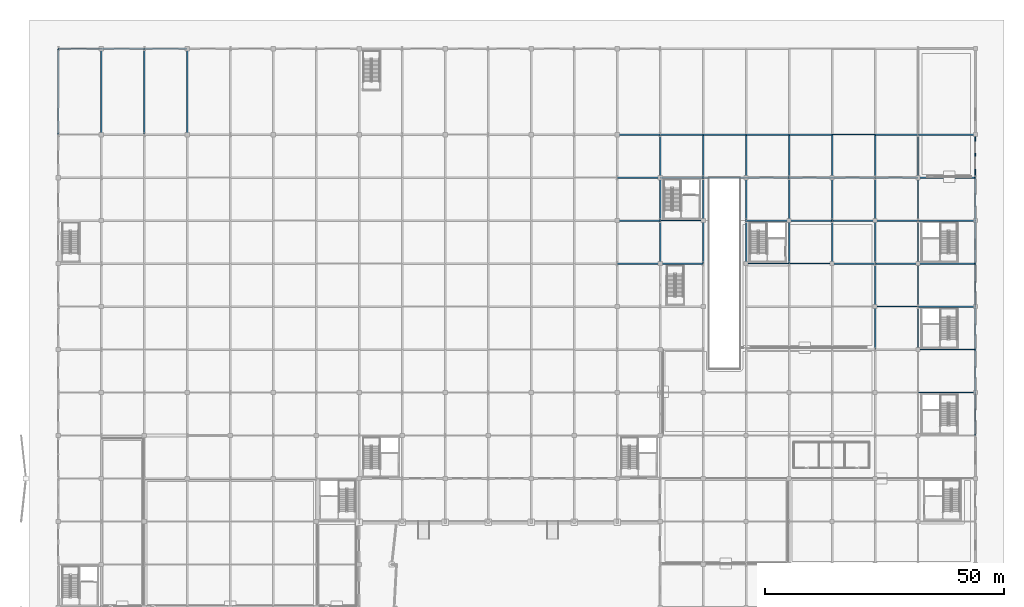
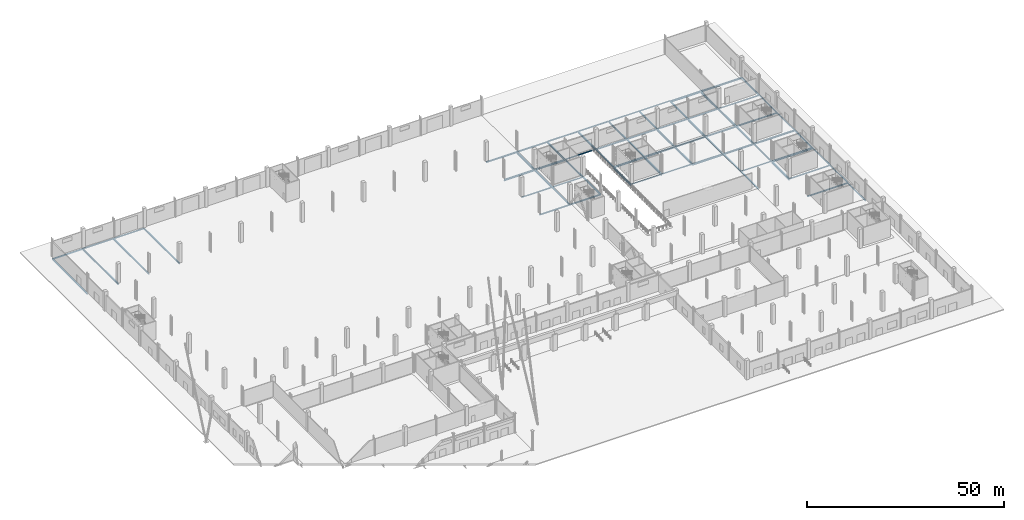
# One storey, part 23 of 58: 73 beams.
"""IFC4 building model written with IfcOpenShell, lengths in metres."""

from ifc_helpers import new_model, si_unit, direction, frame, origin, origin_2d, place, context, subcontext, project, spatial, hollow_rectangle, i_section, extrude, material, material_profile, profile_set, type_object, element, save


model = new_model("IFC4")

# Units and contexts
model_context = context("Model", 3, precision=1e-05, world=origin(), true_north=direction((0.0, 1.0)))
body_context = subcontext(model_context, "Body", "Model", "MODEL_VIEW")
ifc_project = project(units=[si_unit("LENGTHUNIT", "METRE"), si_unit("AREAUNIT", "SQUARE_METRE"), si_unit("VOLUMEUNIT", "CUBIC_METRE"), si_unit("PLANEANGLEUNIT", "RADIAN"), si_unit("MASSUNIT", "GRAM", prefix="KILO")], contexts=[model_context])

# Site, building, storey
site_placement = place(None, origin())
site = spatial("IfcSite", under=ifc_project, at=site_placement, CompositionType="ELEMENT")
building_placement = place(site_placement, origin())
building = spatial("IfcBuilding", under=site, at=building_placement, Name="Barlavento Convention Centre", CompositionType="ELEMENT")
storey_placement = place(building_placement, origin())
storey = spatial("IfcBuildingStorey", under=building, at=storey_placement, Name="L00", CompositionType="ELEMENT", Elevation=0.0)

# Beams
ifc_material = material(Name="Steel S355", Category="steel")
ifc_material_profile_1 = material_profile(ifc_material, i_section(OverallWidth=0.300048828125, OverallDepth=0.330078125, WebThickness=0.009521484375, FlangeThickness=0.0166015625, FilletRadius=0.027099609375, at=origin_2d()), Name="HEA 340")
ifc_profile_set_1 = profile_set([ifc_material_profile_1], Name="Steel S355")
beam_type_1 = type_object("IfcBeamType", Name="STR-BM-PRI-HEA340", PredefinedType="BEAM", material=ifc_profile_set_1)
for number, where, z_axis, x_axis, name in (
    (1, (171.0, 72.02001953125, -0.52490234375), (0.0, 1.0, 0.0), (-1.0, 0.0, 0.0), "L00 grid girder BG24"),
    (2, (135.0, 90.02001953125, -0.5849609375), (0.0, 1.0, 0.0), (-1.0, 0.0, 0.0), "L00 grid girder BG24"),
    (3, (153.0, 99.02001953125, -0.5849609375), (0.0, 1.0, 0.0), (-1.0, 0.0, 0.0), "L00 grid girder BG24"),
    (4, (171.0, 108.02001953125, -0.5849609375), (0.0, 1.0, 0.0), (-1.0, 0.0, 0.0), "L00 grid girder BG24"),
):
    element("IfcBeam", number, at=place(storey_placement, frame(where, z_axis=z_axis, x_axis=x_axis)), inside=storey, type_object=beam_type_1, Name=name, PredefinedType="BEAM", context=body_context, shape_type="SweptSolid", body=[
        extrude(i_section(OverallWidth=0.300048828125, OverallDepth=0.330078125, WebThickness=0.009521484375, FlangeThickness=0.0166015625, FilletRadius=0.027099609375, at=origin_2d()), origin(), (0.0, 0.0, 1.0), 8.9599609375),
    ])
ifc_material_profile_2 = material_profile(ifc_material, i_section(OverallWidth=0.300048828125, OverallDepth=0.35009765625, WebThickness=0.010009765625, FlangeThickness=0.017578125, FilletRadius=0.027099609375, at=origin_2d()), Name="HEA 360")
ifc_profile_set_2 = profile_set([ifc_material_profile_2], Name="Steel S355")
beam_type_2 = type_object("IfcBeamType", Name="STR-BM-PRI-HEA360", PredefinedType="BEAM", material=ifc_profile_set_2)
for number, where, z_axis, x_axis, name in (
    (5, (180.0, 81.02001953125, -0.534912109375), (0.0, 1.0, 0.0), (-1.0, 0.0, 0.0), "L00 grid girder BG23"),
    (6, (126.0, 90.02001953125, -0.594970703125), (0.0, 1.0, 0.0), (-1.0, 0.0, 0.0), "L00 grid girder BG23"),
    (7, (144.0, 99.02001953125, -0.594970703125), (0.0, 1.0, 0.0), (-1.0, 0.0, 0.0), "L00 grid girder BG23"),
    (8, (162.0, 108.02001953125, -0.594970703125), (0.0, 1.0, 0.0), (-1.0, 0.0, 0.0), "L00 grid girder BG23"),
):
    element("IfcBeam", number, at=place(storey_placement, frame(where, z_axis=z_axis, x_axis=x_axis)), inside=storey, type_object=beam_type_2, Name=name, PredefinedType="BEAM", context=body_context, shape_type="SweptSolid", body=[
        extrude(i_section(OverallWidth=0.300048828125, OverallDepth=0.35009765625, WebThickness=0.010009765625, FlangeThickness=0.017578125, FilletRadius=0.027099609375, at=origin_2d()), origin(), (0.0, 0.0, 1.0), 8.9599609375),
    ])
ifc_material_profile_3 = material_profile(ifc_material, i_section(OverallWidth=0.300048828125, OverallDepth=0.389892578125, WebThickness=0.010986328125, FlangeThickness=0.01904296875, FilletRadius=0.027099609375, at=origin_2d()), Name="HEA 400")
ifc_profile_set_3 = profile_set([ifc_material_profile_3], Name="Steel S355")
beam_type_3 = type_object("IfcBeamType", Name="STR-BM-PRI-HEA400", PredefinedType="BEAM", material=ifc_profile_set_3)
for number, where, z_axis, x_axis, name in (
    (9, (171.0, 81.02001953125, -0.554931640625), (0.0, 1.0, 0.0), (-1.0, 0.0, 0.0), "L00 grid girder BG22"),
    (10, (135.0, 99.02001953125, -0.614990234375), (0.0, 1.0, 0.0), (-1.0, 0.0, 0.0), "L00 grid girder BG22"),
    (11, (153.0, 108.02001953125, -0.614990234375), (0.0, 1.0, 0.0), (-1.0, 0.0, 0.0), "L00 grid girder BG22"),
):
    element("IfcBeam", number, at=place(storey_placement, frame(where, z_axis=z_axis, x_axis=x_axis)), inside=storey, type_object=beam_type_3, Name=name, PredefinedType="BEAM", context=body_context, shape_type="SweptSolid", body=[
        extrude(i_section(OverallWidth=0.300048828125, OverallDepth=0.389892578125, WebThickness=0.010986328125, FlangeThickness=0.01904296875, FilletRadius=0.027099609375, at=origin_2d()), origin(), (0.0, 0.0, 1.0), 8.9599609375),
    ])
beam_1_placement = place(storey_placement, frame((27.0, 117.02001953125, -0.574951171875), z_axis=(0.0, 1.0, 0.0), x_axis=(-1.0, 0.0, 0.0)))
element("IfcBeam", 12, at=beam_1_placement, inside=storey, type_object=beam_type_3, Name="L00 grid girder BG22", PredefinedType="BEAM", context=body_context, shape_type="SweptSolid", body=[
    extrude(i_section(OverallWidth=0.300048828125, OverallDepth=0.389892578125, WebThickness=0.010986328125, FlangeThickness=0.01904296875, FilletRadius=0.027099609375, at=origin_2d()), origin(), (0.0, 0.0, 1.0), 17.9599609375),
])
ifc_material_profile_4 = material_profile(ifc_material, i_section(OverallWidth=0.300048828125, OverallDepth=0.43994140625, WebThickness=0.011474609375, FlangeThickness=0.02099609375, FilletRadius=0.027099609375, at=origin_2d()), Name="HEA 450")
ifc_profile_set_4 = profile_set([ifc_material_profile_4], Name="Steel S355")
beam_type_4 = type_object("IfcBeamType", Name="STR-BM-PRI-HEA450", PredefinedType="BEAM", material=ifc_profile_set_4)
for number, where, z_axis, x_axis, name in (
    (13, (180.0, 90.02001953125, -0.639892578125), (0.0, 1.0, 0.0), (-1.0, 0.0, 0.0), "L00 grid girder BG21"),
    (14, (126.0, 99.02001953125, -0.639892578125), (0.0, 1.0, 0.0), (-1.0, 0.0, 0.0), "L00 grid girder BG21"),
    (15, (144.0, 108.02001953125, -0.639892578125), (0.0, 1.0, 0.0), (-1.0, 0.0, 0.0), "L00 grid girder BG21"),
):
    element("IfcBeam", number, at=place(storey_placement, frame(where, z_axis=z_axis, x_axis=x_axis)), inside=storey, type_object=beam_type_4, Name=name, PredefinedType="BEAM", context=body_context, shape_type="SweptSolid", body=[
        extrude(i_section(OverallWidth=0.300048828125, OverallDepth=0.43994140625, WebThickness=0.011474609375, FlangeThickness=0.02099609375, FilletRadius=0.027099609375, at=origin_2d()), origin(), (0.0, 0.0, 1.0), 8.9599609375),
    ])
beam_2_placement = place(storey_placement, frame((18.0, 117.02001953125, -0.60009765625), z_axis=(0.0, 1.0, 0.0), x_axis=(-1.0, 0.0, 0.0)))
element("IfcBeam", 16, at=beam_2_placement, inside=storey, type_object=beam_type_4, Name="L00 grid girder BG21", PredefinedType="BEAM", context=body_context, shape_type="SweptSolid", body=[
    extrude(i_section(OverallWidth=0.300048828125, OverallDepth=0.43994140625, WebThickness=0.011474609375, FlangeThickness=0.02099609375, FilletRadius=0.027099609375, at=origin_2d()), origin(), (0.0, 0.0, 1.0), 17.9599609375),
])
ifc_material_profile_5 = material_profile(ifc_material, i_section(OverallWidth=0.300048828125, OverallDepth=0.489990234375, WebThickness=0.011962890625, FlangeThickness=0.02294921875, FilletRadius=0.027099609375, at=origin_2d()), Name="HEA 500")
ifc_profile_set_5 = profile_set([ifc_material_profile_5], Name="Steel S355")
beam_type_5 = type_object("IfcBeamType", Name="STR-BM-PRI-HEA500", PredefinedType="BEAM", material=ifc_profile_set_5)
for number, where, z_axis, x_axis, name in (
    (17, (171.0, 90.02001953125, -0.6650390625), (0.0, 1.0, 0.0), (-1.0, 0.0, 0.0), "L00 grid girder BG20"),
    (18, (135.0, 108.02001953125, -0.6650390625), (0.0, 1.0, 0.0), (-1.0, 0.0, 0.0), "L00 grid girder BG20"),
):
    element("IfcBeam", number, at=place(storey_placement, frame(where, z_axis=z_axis, x_axis=x_axis)), inside=storey, type_object=beam_type_5, Name=name, PredefinedType="BEAM", context=body_context, shape_type="SweptSolid", body=[
        extrude(i_section(OverallWidth=0.300048828125, OverallDepth=0.489990234375, WebThickness=0.011962890625, FlangeThickness=0.02294921875, FilletRadius=0.027099609375, at=origin_2d()), origin(), (0.0, 0.0, 1.0), 8.9599609375),
    ])
beam_3_placement = place(storey_placement, frame((9.0, 117.02001953125, -0.625), z_axis=(0.0, 1.0, 0.0), x_axis=(-1.0, 0.0, 0.0)))
element("IfcBeam", 19, at=beam_3_placement, inside=storey, type_object=beam_type_5, Name="L00 grid girder BG20", PredefinedType="BEAM", context=body_context, shape_type="SweptSolid", body=[
    extrude(i_section(OverallWidth=0.300048828125, OverallDepth=0.489990234375, WebThickness=0.011962890625, FlangeThickness=0.02294921875, FilletRadius=0.027099609375, at=origin_2d()), origin(), (0.0, 0.0, 1.0), 17.9599609375),
])
ifc_material_profile_6 = material_profile(ifc_material, i_section(OverallWidth=0.300048828125, OverallDepth=0.5400390625, WebThickness=0.012451171875, FlangeThickness=0.02392578125, FilletRadius=0.027099609375, at=origin_2d()), Name="HEA 550")
ifc_profile_set_6 = profile_set([ifc_material_profile_6], Name="Steel S355")
beam_type_6 = type_object("IfcBeamType", Name="STR-BM-PRI-HEA550", PredefinedType="BEAM", material=ifc_profile_set_6)
for number, where, z_axis, x_axis, name in (
    (20, (162.0, 90.02001953125, -0.68994140625), (0.0, 1.0, 0.0), (-1.0, 0.0, 0.0), "L00 grid girder BG19"),
    (21, (180.0, 99.02001953125, -0.68994140625), (0.0, 1.0, 0.0), (-1.0, 0.0, 0.0), "L00 grid girder BG19"),
    (22, (126.0, 108.02001953125, -0.68994140625), (0.0, 1.0, 0.0), (-1.0, 0.0, 0.0), "L00 grid girder BG19"),
):
    element("IfcBeam", number, at=place(storey_placement, frame(where, z_axis=z_axis, x_axis=x_axis)), inside=storey, type_object=beam_type_6, Name=name, PredefinedType="BEAM", context=body_context, shape_type="SweptSolid", body=[
        extrude(i_section(OverallWidth=0.300048828125, OverallDepth=0.5400390625, WebThickness=0.012451171875, FlangeThickness=0.02392578125, FilletRadius=0.027099609375, at=origin_2d()), origin(), (0.0, 0.0, 1.0), 8.9599609375),
    ])
ifc_material_profile_7 = material_profile(ifc_material, i_section(OverallWidth=0.300048828125, OverallDepth=0.590087890625, WebThickness=0.012939453125, FlangeThickness=0.02490234375, FilletRadius=0.027099609375, at=origin_2d()), Name="HEA 600")
ifc_profile_set_7 = profile_set([ifc_material_profile_7], Name="Steel S355")
beam_type_7 = type_object("IfcBeamType", Name="STR-BM-PRI-HEA600", PredefinedType="BEAM", material=ifc_profile_set_7)
for number, where, z_axis, x_axis, name in (
    (23, (153.0, 90.02001953125, -0.715087890625), (0.0, 1.0, 0.0), (-1.0, 0.0, 0.0), "L00 grid girder BG18"),
    (24, (171.0, 99.02001953125, -0.715087890625), (0.0, 1.0, 0.0), (-1.0, 0.0, 0.0), "L00 grid girder BG18"),
):
    element("IfcBeam", number, at=place(storey_placement, frame(where, z_axis=z_axis, x_axis=x_axis)), inside=storey, type_object=beam_type_7, Name=name, PredefinedType="BEAM", context=body_context, shape_type="SweptSolid", body=[
        extrude(i_section(OverallWidth=0.300048828125, OverallDepth=0.590087890625, WebThickness=0.012939453125, FlangeThickness=0.02490234375, FilletRadius=0.027099609375, at=origin_2d()), origin(), (0.0, 0.0, 1.0), 8.9599609375),
    ])
ifc_material_profile_8 = material_profile(ifc_material, i_section(OverallWidth=0.300048828125, OverallDepth=0.639892578125, WebThickness=0.013427734375, FlangeThickness=0.02587890625, FilletRadius=0.027099609375, at=origin_2d()), Name="HEA 650")
ifc_profile_set_8 = profile_set([ifc_material_profile_8], Name="Steel S355")
beam_type_8 = type_object("IfcBeamType", Name="STR-BM-PRI-HEA650", PredefinedType="BEAM", material=ifc_profile_set_8)
for number, where, z_axis, x_axis, name in (
    (25, (180.0, 72.02001953125, -0.679931640625), (0.0, 1.0, 0.0), (-1.0, 0.0, 0.0), "L00 grid girder BG17"),
    (26, (144.0, 90.02001953125, -0.739990234375), (0.0, 1.0, 0.0), (-1.0, 0.0, 0.0), "L00 grid girder BG17"),
    (27, (162.0, 99.02001953125, -0.739990234375), (0.0, 1.0, 0.0), (-1.0, 0.0, 0.0), "L00 grid girder BG17"),
    (28, (180.0, 108.02001953125, -0.739990234375), (0.0, 1.0, 0.0), (-1.0, 0.0, 0.0), "L00 grid girder BG17"),
):
    element("IfcBeam", number, at=place(storey_placement, frame(where, z_axis=z_axis, x_axis=x_axis)), inside=storey, type_object=beam_type_8, Name=name, PredefinedType="BEAM", context=body_context, shape_type="SweptSolid", body=[
        extrude(i_section(OverallWidth=0.300048828125, OverallDepth=0.639892578125, WebThickness=0.013427734375, FlangeThickness=0.02587890625, FilletRadius=0.027099609375, at=origin_2d()), origin(), (0.0, 0.0, 1.0), 8.9599609375),
    ])
ifc_material_profile_9 = material_profile(ifc_material, i_section(OverallWidth=0.260009765625, OverallDepth=0.260009765625, WebThickness=0.010009765625, FlangeThickness=0.017578125, FilletRadius=0.02392578125, at=origin_2d()), Name="HEB 260")
ifc_profile_set_9 = profile_set([ifc_material_profile_9], Name="Steel S355")
beam_type_9 = type_object("IfcBeamType", Name="STR-BM-PRI-HEB260", PredefinedType="BEAM", material=ifc_profile_set_9)
for number, where, z_axis, x_axis, name in (
    (29, (171.02001953125, 81.0, -0.489990234375), (1.0, 0.0, 0.0), (0.0, 1.0, 0.0), "L00 primary girder BG16"),
    (30, (153.02001953125, 90.0, -0.489990234375), (1.0, 0.0, 0.0), (0.0, 1.0, 0.0), "L00 primary girder BG16"),
    (31, (126.02001953125, 99.0, -0.550048828125), (1.0, 0.0, 0.0), (0.0, 1.0, 0.0), "L00 primary girder BG16"),
    (32, (162.02001953125, 117.0, -0.43994140625), (1.0, 0.0, 0.0), (0.0, 1.0, 0.0), "L00 primary girder BG16"),
):
    element("IfcBeam", number, at=place(storey_placement, frame(where, z_axis=z_axis, x_axis=x_axis)), inside=storey, type_object=beam_type_9, Name=name, PredefinedType="BEAM", context=body_context, shape_type="SweptSolid", body=[
        extrude(i_section(OverallWidth=0.260009765625, OverallDepth=0.260009765625, WebThickness=0.010009765625, FlangeThickness=0.017578125, FilletRadius=0.02392578125, at=origin_2d()), origin(), (0.0, 0.0, 1.0), 8.9599609375),
    ])
ifc_material_profile_10 = material_profile(ifc_material, i_section(OverallWidth=0.280029296875, OverallDepth=0.280029296875, WebThickness=0.010498046875, FlangeThickness=0.01806640625, FilletRadius=0.02392578125, at=origin_2d()), Name="HEB 280")
ifc_profile_set_10 = profile_set([ifc_material_profile_10], Name="Steel S355")
beam_type_10 = type_object("IfcBeamType", Name="STR-BM-PRI-HEB280", PredefinedType="BEAM", material=ifc_profile_set_10)
beam_4_placement = place(storey_placement, frame((180.02001953125, 72.0, -0.5), z_axis=(1.0, 0.0, 0.0), x_axis=(0.0, 1.0, 0.0)))
element("IfcBeam", 33, at=beam_4_placement, inside=storey, type_object=beam_type_10, Name="L00 primary girder BG15", PredefinedType="BEAM", context=body_context, shape_type="SweptSolid", body=[
    extrude(i_section(OverallWidth=0.280029296875, OverallDepth=0.280029296875, WebThickness=0.010498046875, FlangeThickness=0.01806640625, FilletRadius=0.02392578125, at=origin_2d()), origin(), (0.0, 0.0, 1.0), 11.9599609375),
])
for number, where, z_axis, x_axis, name in (
    (34, (144.02001953125, 90.0, -0.5), (1.0, 0.0, 0.0), (0.0, 1.0, 0.0), "L00 primary girder BG15"),
    (35, (117.02001953125, 99.0, -0.56005859375), (1.0, 0.0, 0.0), (0.0, 1.0, 0.0), "L00 primary girder BG15"),
):
    element("IfcBeam", number, at=place(storey_placement, frame(where, z_axis=z_axis, x_axis=x_axis)), inside=storey, type_object=beam_type_10, Name=name, PredefinedType="BEAM", context=body_context, shape_type="SweptSolid", body=[
        extrude(i_section(OverallWidth=0.280029296875, OverallDepth=0.280029296875, WebThickness=0.010498046875, FlangeThickness=0.01806640625, FilletRadius=0.02392578125, at=origin_2d()), origin(), (0.0, 0.0, 1.0), 8.9599609375),
    ])
beam_5_placement = place(storey_placement, frame((180.02001953125, 108.0, -0.56005859375), z_axis=(1.0, 0.0, 0.0), x_axis=(0.0, 1.0, 0.0)))
element("IfcBeam", 36, at=beam_5_placement, inside=storey, type_object=beam_type_10, Name="L00 primary girder BG15", PredefinedType="BEAM", context=body_context, shape_type="SweptSolid", body=[
    extrude(i_section(OverallWidth=0.280029296875, OverallDepth=0.280029296875, WebThickness=0.010498046875, FlangeThickness=0.01806640625, FilletRadius=0.02392578125, at=origin_2d()), origin(), (0.0, 0.0, 1.0), 11.9599609375),
])
beam_6_placement = place(storey_placement, frame((153.02001953125, 117.0, -0.449951171875), z_axis=(1.0, 0.0, 0.0), x_axis=(0.0, 1.0, 0.0)))
element("IfcBeam", 37, at=beam_6_placement, inside=storey, type_object=beam_type_10, Name="L00 primary girder BG15", PredefinedType="BEAM", context=body_context, shape_type="SweptSolid", body=[
    extrude(i_section(OverallWidth=0.280029296875, OverallDepth=0.280029296875, WebThickness=0.010498046875, FlangeThickness=0.01806640625, FilletRadius=0.02392578125, at=origin_2d()), origin(), (0.0, 0.0, 1.0), 8.9599609375),
])
ifc_material_profile_11 = material_profile(ifc_material, i_section(OverallWidth=0.300048828125, OverallDepth=0.300048828125, WebThickness=0.010986328125, FlangeThickness=0.01904296875, FilletRadius=0.027099609375, at=origin_2d()), Name="HEB 300")
ifc_profile_set_11 = profile_set([ifc_material_profile_11], Name="Steel S355")
beam_type_11 = type_object("IfcBeamType", Name="STR-BM-PRI-HEB300", PredefinedType="BEAM", material=ifc_profile_set_11)
for number, where, z_axis, x_axis, name in (
    (38, (126.02001953125, 90.0, -0.530029296875), (1.0, 0.0, 0.0), (0.0, 1.0, 0.0), "L00 primary girder BG14"),
    (39, (171.02001953125, 108.0, -0.570068359375), (1.0, 0.0, 0.0), (0.0, 1.0, 0.0), "L00 primary girder BG14"),
    (40, (144.02001953125, 117.0, -0.4599609375), (1.0, 0.0, 0.0), (0.0, 1.0, 0.0), "L00 primary girder BG14"),
):
    element("IfcBeam", number, at=place(storey_placement, frame(where, z_axis=z_axis, x_axis=x_axis)), inside=storey, type_object=beam_type_11, Name=name, PredefinedType="BEAM", context=body_context, shape_type="SweptSolid", body=[
        extrude(i_section(OverallWidth=0.300048828125, OverallDepth=0.300048828125, WebThickness=0.010986328125, FlangeThickness=0.01904296875, FilletRadius=0.027099609375, at=origin_2d()), origin(), (0.0, 0.0, 1.0), 8.9599609375),
    ])
ifc_material_profile_12 = material_profile(ifc_material, i_section(OverallWidth=0.300048828125, OverallDepth=0.320068359375, WebThickness=0.011474609375, FlangeThickness=0.0205078125, FilletRadius=0.027099609375, at=origin_2d()), Name="HEB 320")
ifc_profile_set_12 = profile_set([ifc_material_profile_12], Name="Steel S355")
beam_type_12 = type_object("IfcBeamType", Name="STR-BM-PRI-HEB320", PredefinedType="BEAM", material=ifc_profile_set_12)
beam_7_placement = place(storey_placement, frame((180.02001953125, 63.0, -0.52001953125), z_axis=(1.0, 0.0, 0.0), x_axis=(0.0, 1.0, 0.0)))
element("IfcBeam", 41, at=beam_7_placement, inside=storey, type_object=beam_type_12, Name="L00 primary girder BG13", PredefinedType="BEAM", context=body_context, shape_type="SweptSolid", body=[
    extrude(i_section(OverallWidth=0.300048828125, OverallDepth=0.320068359375, WebThickness=0.011474609375, FlangeThickness=0.0205078125, FilletRadius=0.027099609375, at=origin_2d()), origin(), (0.0, 0.0, 1.0), 11.9599609375),
])
for number, where, z_axis, x_axis, name in (
    (42, (117.02001953125, 90.0, -0.5400390625), (1.0, 0.0, 0.0), (0.0, 1.0, 0.0), "L00 primary girder BG13"),
    (43, (162.02001953125, 108.0, -0.580078125), (1.0, 0.0, 0.0), (0.0, 1.0, 0.0), "L00 primary girder BG13"),
    (44, (135.02001953125, 117.0, -0.469970703125), (1.0, 0.0, 0.0), (0.0, 1.0, 0.0), "L00 primary girder BG13"),
):
    element("IfcBeam", number, at=place(storey_placement, frame(where, z_axis=z_axis, x_axis=x_axis)), inside=storey, type_object=beam_type_12, Name=name, PredefinedType="BEAM", context=body_context, shape_type="SweptSolid", body=[
        extrude(i_section(OverallWidth=0.300048828125, OverallDepth=0.320068359375, WebThickness=0.011474609375, FlangeThickness=0.0205078125, FilletRadius=0.027099609375, at=origin_2d()), origin(), (0.0, 0.0, 1.0), 8.9599609375),
    ])
ifc_material_profile_13 = material_profile(ifc_material, i_section(OverallWidth=0.300048828125, OverallDepth=0.360107421875, WebThickness=0.012451171875, FlangeThickness=0.0224609375, FilletRadius=0.027099609375, at=origin_2d()), Name="HEB 360")
ifc_profile_set_13 = profile_set([ifc_material_profile_13], Name="Steel S355")
beam_type_13 = type_object("IfcBeamType", Name="STR-BM-PRI-HEB360", PredefinedType="BEAM", material=ifc_profile_set_13)
beam_8_placement = place(storey_placement, frame((180.02001953125, 99.0, -0.60009765625), z_axis=(1.0, 0.0, 0.0), x_axis=(0.0, 1.0, 0.0)))
element("IfcBeam", 45, at=beam_8_placement, inside=storey, type_object=beam_type_13, Name="L00 primary girder BG12", PredefinedType="BEAM", context=body_context, shape_type="SweptSolid", body=[
    extrude(i_section(OverallWidth=0.300048828125, OverallDepth=0.360107421875, WebThickness=0.012451171875, FlangeThickness=0.0224609375, FilletRadius=0.027099609375, at=origin_2d()), origin(), (0.0, 0.0, 1.0), 11.9599609375),
])
for number, where, z_axis, x_axis, name in (
    (46, (153.02001953125, 108.0, -0.60009765625), (1.0, 0.0, 0.0), (0.0, 1.0, 0.0), "L00 primary girder BG12"),
    (47, (126.02001953125, 117.0, -0.56005859375), (1.0, 0.0, 0.0), (0.0, 1.0, 0.0), "L00 primary girder BG12"),
):
    element("IfcBeam", number, at=place(storey_placement, frame(where, z_axis=z_axis, x_axis=x_axis)), inside=storey, type_object=beam_type_13, Name=name, PredefinedType="BEAM", context=body_context, shape_type="SweptSolid", body=[
        extrude(i_section(OverallWidth=0.300048828125, OverallDepth=0.360107421875, WebThickness=0.012451171875, FlangeThickness=0.0224609375, FilletRadius=0.027099609375, at=origin_2d()), origin(), (0.0, 0.0, 1.0), 8.9599609375),
    ])
ifc_material_profile_14 = material_profile(ifc_material, i_section(OverallWidth=0.300048828125, OverallDepth=0.39990234375, WebThickness=0.013427734375, FlangeThickness=0.02392578125, FilletRadius=0.027099609375, at=origin_2d()), Name="HEB 400")
ifc_profile_set_14 = profile_set([ifc_material_profile_14], Name="Steel S355")
beam_type_14 = type_object("IfcBeamType", Name="STR-BM-PRI-HEB400", PredefinedType="BEAM", material=ifc_profile_set_14)
for number, where, z_axis, x_axis, name in (
    (48, (171.02001953125, 99.0, -0.6201171875), (1.0, 0.0, 0.0), (0.0, 1.0, 0.0), "L00 primary girder BG11"),
    (49, (144.02001953125, 108.0, -0.6201171875), (1.0, 0.0, 0.0), (0.0, 1.0, 0.0), "L00 primary girder BG11"),
    (50, (117.02001953125, 117.0, -0.580078125), (1.0, 0.0, 0.0), (0.0, 1.0, 0.0), "L00 primary girder BG11"),
):
    element("IfcBeam", number, at=place(storey_placement, frame(where, z_axis=z_axis, x_axis=x_axis)), inside=storey, type_object=beam_type_14, Name=name, PredefinedType="BEAM", context=body_context, shape_type="SweptSolid", body=[
        extrude(i_section(OverallWidth=0.300048828125, OverallDepth=0.39990234375, WebThickness=0.013427734375, FlangeThickness=0.02392578125, FilletRadius=0.027099609375, at=origin_2d()), origin(), (0.0, 0.0, 1.0), 8.9599609375),
    ])
ifc_material_profile_15 = material_profile(ifc_material, i_section(OverallWidth=0.300048828125, OverallDepth=0.449951171875, WebThickness=0.013916015625, FlangeThickness=0.02587890625, FilletRadius=0.027099609375, at=origin_2d()), Name="HEB 450")
ifc_profile_set_15 = profile_set([ifc_material_profile_15], Name="Steel S355")
beam_type_15 = type_object("IfcBeamType", Name="STR-BM-PRI-HEB450", PredefinedType="BEAM", material=ifc_profile_set_15)
beam_9_placement = place(storey_placement, frame((180.02001953125, 90.0, -0.5849609375), z_axis=(1.0, 0.0, 0.0), x_axis=(0.0, 1.0, 0.0)))
element("IfcBeam", 51, at=beam_9_placement, inside=storey, type_object=beam_type_15, Name="L00 primary girder BG10", PredefinedType="BEAM", context=body_context, shape_type="SweptSolid", body=[
    extrude(i_section(OverallWidth=0.300048828125, OverallDepth=0.449951171875, WebThickness=0.013916015625, FlangeThickness=0.02587890625, FilletRadius=0.027099609375, at=origin_2d()), origin(), (0.0, 0.0, 1.0), 11.9599609375),
])
beam_10_placement = place(storey_placement, frame((162.02001953125, 99.0, -0.64501953125), z_axis=(1.0, 0.0, 0.0), x_axis=(0.0, 1.0, 0.0)))
element("IfcBeam", 52, at=beam_10_placement, inside=storey, type_object=beam_type_15, Name="L00 primary girder BG10", PredefinedType="BEAM", context=body_context, shape_type="SweptSolid", body=[
    extrude(i_section(OverallWidth=0.300048828125, OverallDepth=0.449951171875, WebThickness=0.013916015625, FlangeThickness=0.02587890625, FilletRadius=0.027099609375, at=origin_2d()), origin(), (0.0, 0.0, 1.0), 8.9599609375),
])
ifc_material_profile_16 = material_profile(ifc_material, i_section(OverallWidth=0.300048828125, OverallDepth=0.5, WebThickness=0.014404296875, FlangeThickness=0.028076171875, FilletRadius=0.027099609375, at=origin_2d()), Name="HEB 500")
ifc_profile_set_16 = profile_set([ifc_material_profile_16], Name="Steel S355")
beam_type_16 = type_object("IfcBeamType", Name="STR-BM-PRI-HEB500", PredefinedType="BEAM", material=ifc_profile_set_16)
for number, where, z_axis, x_axis, name in (
    (53, (171.02001953125, 90.0, -0.610107421875), (1.0, 0.0, 0.0), (0.0, 1.0, 0.0), "L00 primary girder BG09"),
    (54, (153.02001953125, 99.0, -0.669921875), (1.0, 0.0, 0.0), (0.0, 1.0, 0.0), "L00 primary girder BG09"),
    (55, (126.02001953125, 108.0, -0.669921875), (1.0, 0.0, 0.0), (0.0, 1.0, 0.0), "L00 primary girder BG09"),
):
    element("IfcBeam", number, at=place(storey_placement, frame(where, z_axis=z_axis, x_axis=x_axis)), inside=storey, type_object=beam_type_16, Name=name, PredefinedType="BEAM", context=body_context, shape_type="SweptSolid", body=[
        extrude(i_section(OverallWidth=0.300048828125, OverallDepth=0.5, WebThickness=0.014404296875, FlangeThickness=0.028076171875, FilletRadius=0.027099609375, at=origin_2d()), origin(), (0.0, 0.0, 1.0), 8.9599609375),
    ])
beam_11_placement = place(storey_placement, frame((180.02001953125, 117.0, -0.669921875), z_axis=(1.0, 0.0, 0.0), x_axis=(0.0, 1.0, 0.0)))
element("IfcBeam", 56, at=beam_11_placement, inside=storey, type_object=beam_type_16, Name="L00 primary girder BG09", PredefinedType="BEAM", context=body_context, shape_type="SweptSolid", body=[
    extrude(i_section(OverallWidth=0.300048828125, OverallDepth=0.5, WebThickness=0.014404296875, FlangeThickness=0.028076171875, FilletRadius=0.027099609375, at=origin_2d()), origin(), (0.0, 0.0, 1.0), 11.9599609375),
])
ifc_material_profile_17 = material_profile(ifc_material, i_section(OverallWidth=0.300048828125, OverallDepth=0.550048828125, WebThickness=0.014892578125, FlangeThickness=0.029052734375, FilletRadius=0.027099609375, at=origin_2d()), Name="HEB 550")
ifc_profile_set_17 = profile_set([ifc_material_profile_17], Name="Steel S355")
beam_type_17 = type_object("IfcBeamType", Name="STR-BM-PRI-HEB550", PredefinedType="BEAM", material=ifc_profile_set_17)
beam_12_placement = place(storey_placement, frame((180.02001953125, 81.0, -0.635009765625), z_axis=(1.0, 0.0, 0.0), x_axis=(0.0, 1.0, 0.0)))
element("IfcBeam", 57, at=beam_12_placement, inside=storey, type_object=beam_type_17, Name="L00 primary girder BG08", PredefinedType="BEAM", context=body_context, shape_type="SweptSolid", body=[
    extrude(i_section(OverallWidth=0.300048828125, OverallDepth=0.550048828125, WebThickness=0.014892578125, FlangeThickness=0.029052734375, FilletRadius=0.027099609375, at=origin_2d()), origin(), (0.0, 0.0, 1.0), 11.9599609375),
])
for number, where, z_axis, x_axis, name in (
    (58, (162.02001953125, 90.0, -0.635009765625), (1.0, 0.0, 0.0), (0.0, 1.0, 0.0), "L00 primary girder BG08"),
    (59, (144.02001953125, 99.0, -0.695068359375), (1.0, 0.0, 0.0), (0.0, 1.0, 0.0), "L00 primary girder BG08"),
    (60, (117.02001953125, 108.0, -0.695068359375), (1.0, 0.0, 0.0), (0.0, 1.0, 0.0), "L00 primary girder BG08"),
    (61, (171.02001953125, 117.0, -0.695068359375), (1.0, 0.0, 0.0), (0.0, 1.0, 0.0), "L00 primary girder BG08"),
):
    element("IfcBeam", number, at=place(storey_placement, frame(where, z_axis=z_axis, x_axis=x_axis)), inside=storey, type_object=beam_type_17, Name=name, PredefinedType="BEAM", context=body_context, shape_type="SweptSolid", body=[
        extrude(i_section(OverallWidth=0.300048828125, OverallDepth=0.550048828125, WebThickness=0.014892578125, FlangeThickness=0.029052734375, FilletRadius=0.027099609375, at=origin_2d()), origin(), (0.0, 0.0, 1.0), 8.9599609375),
    ])
ifc_material_profile_18 = material_profile(ifc_material, i_section(OverallWidth=0.260009765625, OverallDepth=0.25, WebThickness=0.007568359375, FlangeThickness=0.012451171875, FilletRadius=0.02392578125, at=origin_2d()), Name="HEA 260")
ifc_profile_set_18 = profile_set([ifc_material_profile_18], Name="Steel S355")
beam_type_18 = type_object("IfcBeamType", Name="STR-BM-SPN-HEA260", PredefinedType="SPANDREL", material=ifc_profile_set_18)
for number, where, z_axis, x_axis, name in (
    (62, (192.0, 63.02001953125, -0.485107421875), (0.0, 1.0, 0.0), (-1.0, 0.0, 0.0), "L00 grid girder SP04"),
    (63, (192.0, 90.02001953125, -0.544921875), (0.0, 1.0, 0.0), (-1.0, 0.0, 0.0), "L00 grid girder SP04"),
):
    element("IfcBeam", number, at=place(storey_placement, frame(where, z_axis=z_axis, x_axis=x_axis)), inside=storey, type_object=beam_type_18, Name=name, PredefinedType="SPANDREL", context=body_context, shape_type="SweptSolid", body=[
        extrude(i_section(OverallWidth=0.260009765625, OverallDepth=0.25, WebThickness=0.007568359375, FlangeThickness=0.012451171875, FilletRadius=0.02392578125, at=origin_2d()), origin(), (0.0, 0.0, 1.0), 8.9599609375),
    ])
ifc_material_profile_19 = material_profile(ifc_material, i_section(OverallWidth=0.280029296875, OverallDepth=0.27001953125, WebThickness=0.008056640625, FlangeThickness=0.012939453125, FilletRadius=0.02392578125, at=origin_2d()), Name="HEA 280")
ifc_profile_set_19 = profile_set([ifc_material_profile_19], Name="Steel S355")
beam_type_19 = type_object("IfcBeamType", Name="STR-BM-SPN-HEA280", PredefinedType="SPANDREL", material=ifc_profile_set_19)
beam_13_placement = place(storey_placement, frame((135.02001953125, 108.0, -0.554931640625), z_axis=(1.0, 0.0, 0.0), x_axis=(0.0, 1.0, 0.0)))
element("IfcBeam", 64, at=beam_13_placement, inside=storey, type_object=beam_type_19, Name="L00 primary girder SP03", PredefinedType="SPANDREL", context=body_context, shape_type="SweptSolid", body=[
    extrude(i_section(OverallWidth=0.280029296875, OverallDepth=0.27001953125, WebThickness=0.008056640625, FlangeThickness=0.012939453125, FilletRadius=0.02392578125, at=origin_2d()), origin(), (0.0, 0.0, 1.0), 8.9599609375),
])
ifc_material_profile_20 = material_profile(ifc_material, i_section(OverallWidth=0.300048828125, OverallDepth=0.2900390625, WebThickness=0.008544921875, FlangeThickness=0.013916015625, FilletRadius=0.027099609375, at=origin_2d()), Name="HEA 300")
ifc_profile_set_20 = profile_set([ifc_material_profile_20], Name="Steel S355")
beam_type_20 = type_object("IfcBeamType", Name="STR-BM-SPN-HEA300", PredefinedType="SPANDREL", material=ifc_profile_set_20)
for number, where, z_axis, x_axis, name in (
    (65, (18.02001953125, 135.0, -0.52490234375), (1.0, 0.0, 0.0), (0.0, 1.0, 0.0), "L00 primary girder SP02"),
    (66, (192.0, 72.02001953125, -0.5048828125), (0.0, 1.0, 0.0), (-1.0, 0.0, 0.0), "L00 grid girder SP02"),
    (67, (192.0, 99.02001953125, -0.56494140625), (0.0, 1.0, 0.0), (-1.0, 0.0, 0.0), "L00 grid girder SP02"),
):
    element("IfcBeam", number, at=place(storey_placement, frame(where, z_axis=z_axis, x_axis=x_axis)), inside=storey, type_object=beam_type_20, Name=name, PredefinedType="SPANDREL", context=body_context, shape_type="SweptSolid", body=[
        extrude(i_section(OverallWidth=0.300048828125, OverallDepth=0.2900390625, WebThickness=0.008544921875, FlangeThickness=0.013916015625, FilletRadius=0.027099609375, at=origin_2d()), origin(), (0.0, 0.0, 1.0), 8.9599609375),
    ])
ifc_material_profile_21 = material_profile(ifc_material, i_section(OverallWidth=0.300048828125, OverallDepth=0.31005859375, WebThickness=0.009033203125, FlangeThickness=0.015380859375, FilletRadius=0.027099609375, at=origin_2d()), Name="HEA 320")
ifc_profile_set_21 = profile_set([ifc_material_profile_21], Name="Steel S355")
beam_type_21 = type_object("IfcBeamType", Name="STR-BM-SPN-HEA320", PredefinedType="SPANDREL", material=ifc_profile_set_21)
beam_14_placement = place(storey_placement, frame((9.02001953125, 135.0, -0.534912109375), z_axis=(1.0, 0.0, 0.0), x_axis=(0.0, 1.0, 0.0)))
element("IfcBeam", 68, at=beam_14_placement, inside=storey, type_object=beam_type_21, Name="L00 primary girder SP01", PredefinedType="SPANDREL", context=body_context, shape_type="SweptSolid", body=[
    extrude(i_section(OverallWidth=0.300048828125, OverallDepth=0.31005859375, WebThickness=0.009033203125, FlangeThickness=0.015380859375, FilletRadius=0.027099609375, at=origin_2d()), origin(), (0.0, 0.0, 1.0), 8.9599609375),
])
beam_15_placement = place(storey_placement, frame((0.0, 117.02001953125, -0.534912109375), z_axis=(0.0, 1.0, 0.0), x_axis=(-1.0, 0.0, 0.0)))
element("IfcBeam", 69, at=beam_15_placement, inside=storey, type_object=beam_type_21, Name="L00 grid girder SP01", PredefinedType="SPANDREL", context=body_context, shape_type="SweptSolid", body=[
    extrude(i_section(OverallWidth=0.300048828125, OverallDepth=0.31005859375, WebThickness=0.009033203125, FlangeThickness=0.015380859375, FilletRadius=0.027099609375, at=origin_2d()), origin(), (0.0, 0.0, 1.0), 17.9599609375),
])
ifc_material_profile_22 = material_profile(ifc_material, hollow_rectangle(XDim=0.199951171875, YDim=0.39990234375, WallThickness=0.01611328125, at=origin_2d()), Name="RHS 400x200x16.0")
ifc_profile_set_22 = profile_set([ifc_material_profile_22], Name="Steel S355")
beam_type_22 = type_object("IfcBeamType", Name="STR-BM-SPN-RHS400", PredefinedType="SPANDREL", material=ifc_profile_set_22)
for number, where, z_axis, x_axis, name in (
    (70, (0.02001953125, 135.0, -0.580078125), (1.0, 0.0, 0.0), (0.0, 1.0, 0.0), "L00 primary girder SP06"),
    (71, (192.0, 54.02001953125, -0.56005859375), (0.0, 1.0, 0.0), (-1.0, 0.0, 0.0), "L00 grid girder SP06"),
    (72, (192.0, 81.02001953125, -0.56005859375), (0.0, 1.0, 0.0), (-1.0, 0.0, 0.0), "L00 grid girder SP06"),
    (73, (192.0, 108.02001953125, -0.6201171875), (0.0, 1.0, 0.0), (-1.0, 0.0, 0.0), "L00 grid girder SP06"),
):
    element("IfcBeam", number, at=place(storey_placement, frame(where, z_axis=z_axis, x_axis=x_axis)), inside=storey, type_object=beam_type_22, Name=name, PredefinedType="SPANDREL", context=body_context, shape_type="SweptSolid", body=[
        extrude(hollow_rectangle(XDim=0.199951171875, YDim=0.39990234375, WallThickness=0.01611328125, at=origin_2d()), origin(), (0.0, 0.0, 1.0), 8.9599609375),
    ])

save(model, "model.ifc")
